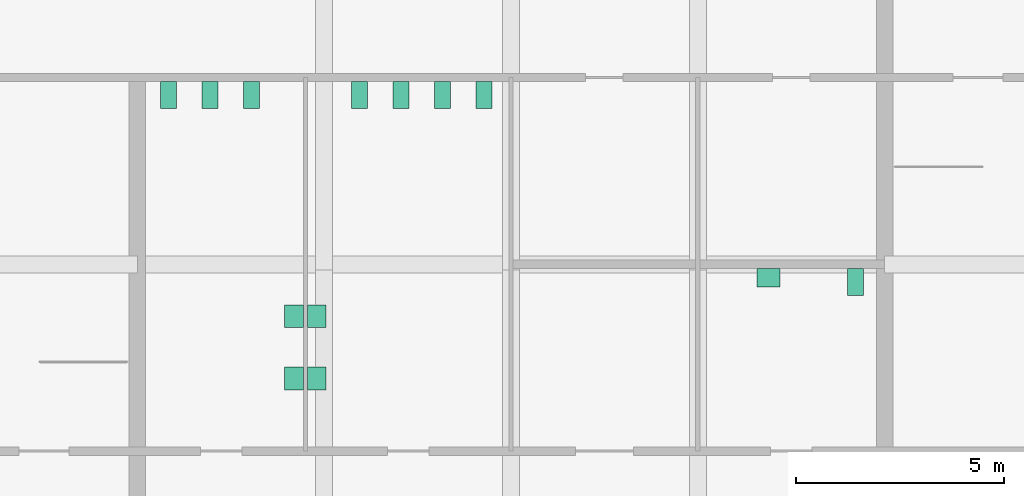
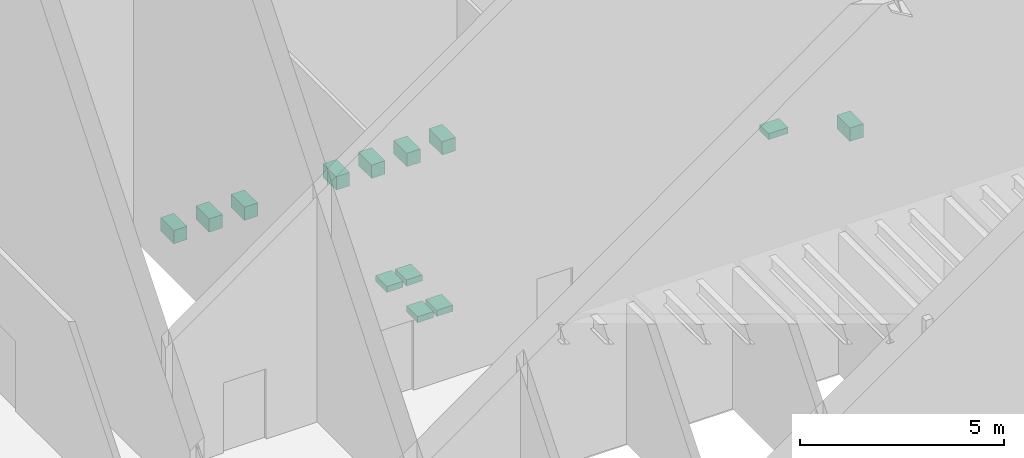
# One storey, part 10 of 10: 13 sanitary terminals.
"""IFC4 building model written with IfcOpenShell, lengths in metres."""

from ifc_helpers import new_model, si_unit, direction, frame, origin, origin_2d, place, context, subcontext, project, spatial, rectangle, extrude, material, type_object, element, save


model = new_model("IFC4")

# Units and contexts
model_context = context("Model", 3, precision=1e-05, world=origin(), true_north=direction((0.0, 1.0)))
body_context = subcontext(model_context, "Body", "Model", "MODEL_VIEW")
ifc_project = project(units=[si_unit("LENGTHUNIT", "METRE"), si_unit("AREAUNIT", "SQUARE_METRE"), si_unit("VOLUMEUNIT", "CUBIC_METRE"), si_unit("PLANEANGLEUNIT", "RADIAN"), si_unit("MASSUNIT", "GRAM", prefix="KILO")], contexts=[model_context])

# Site, building, storey
site_placement = place(None, origin())
site = spatial("IfcSite", under=ifc_project, at=site_placement, CompositionType="ELEMENT")
building_placement = place(site_placement, origin())
building = spatial("IfcBuilding", under=site, at=building_placement, Name="Corais Broadcast Tower", CompositionType="ELEMENT")
storey_placement = place(building_placement, frame((0.0, 0.0, 320.10009765625)))
storey = spatial("IfcBuildingStorey", under=building, at=storey_placement, Name="L75", CompositionType="ELEMENT", Elevation=320.10009765625)

# Sanitary terminals
ifc_material_1 = material(Name="Vitreous china", Category="ceramic")
sanitary_terminal_type_1 = type_object("IfcSanitaryTerminalType", Name="WC pan 380x650", PredefinedType="TOILETPAN", material=ifc_material_1)
for number, where, z_axis, x_axis, name in (
    (1, (18.75, 31.074951171875, 0.0), (0.0, 0.0, 1.0), (1.0, 0.0, 0.0), "SW1 WC pan, male toilets L75"),
    (2, (19.75, 31.074951171875, 0.0), (0.0, 0.0, 1.0), (1.0, 0.0, 0.0), "SW1 WC pan, male toilets L75"),
    (3, (20.75, 31.074951171875, 0.0), (0.0, 0.0, 1.0), (1.0, 0.0, 0.0), "SW1 WC pan, male toilets L75"),
    (4, (23.35009765625, 31.074951171875, 0.0), (0.0, 0.0, 1.0), (1.0, 0.0, 0.0), "SW1 WC pan, female toilets L75"),
    (5, (24.35009765625, 31.074951171875, 0.0), (0.0, 0.0, 1.0), (1.0, 0.0, 0.0), "SW1 WC pan, female toilets L75"),
    (6, (25.35009765625, 31.074951171875, 0.0), (0.0, 0.0, 1.0), (1.0, 0.0, 0.0), "SW1 WC pan, female toilets L75"),
    (7, (26.35009765625, 31.074951171875, 0.0), (0.0, 0.0, 1.0), (1.0, 0.0, 0.0), "SW1 WC pan, female toilets L75"),
    (8, (35.300048828125, 26.574951171875, 0.0), (0.0, 0.0, 1.0), (1.0, 0.0, 0.0), "SW1 WC pan, accessible WC L75"),
):
    element("IfcSanitaryTerminal", number, at=place(storey_placement, frame(where, z_axis=z_axis, x_axis=x_axis)), inside=storey, type_object=sanitary_terminal_type_1, Name=name, PredefinedType="TOILETPAN", context=body_context, shape_type="SweptSolid", body=[
        extrude(rectangle(XDim=0.3798828125, YDim=0.64990234375, at=origin_2d()), origin(), (0.0, 0.0, 1.0), 0.39990234375),
    ])
ifc_material_2 = material(Name="Vitreous china", Category="ceramic")
sanitary_terminal_type_2 = type_object("IfcSanitaryTerminalType", Name="Wash basin 550x450", PredefinedType="WASHHANDBASIN", material=ifc_material_2)
for number, where, z_axis, x_axis, name in (
    (9, (21.77490234375, 24.25, 0.69970703125), (0.0, 0.0, 1.0), (1.0, 0.0, 0.0), "WB1 wash basin, male toilets L75"),
    (10, (21.77490234375, 25.75, 0.69970703125), (0.0, 0.0, 1.0), (1.0, 0.0, 0.0), "WB1 wash basin, male toilets L75"),
    (11, (22.324951171875, 24.25, 0.69970703125), (0.0, 0.0, 1.0), (1.0, 0.0, 0.0), "WB1 wash basin, female toilets L75"),
    (12, (22.324951171875, 25.75, 0.69970703125), (0.0, 0.0, 1.0), (1.0, 0.0, 0.0), "WB1 wash basin, female toilets L75"),
):
    element("IfcSanitaryTerminal", number, at=place(storey_placement, frame(where, z_axis=z_axis, x_axis=x_axis)), inside=storey, type_object=sanitary_terminal_type_2, Name=name, PredefinedType="WASHHANDBASIN", context=body_context, shape_type="SweptSolid", body=[
        extrude(rectangle(XDim=0.449951171875, YDim=0.550048828125, at=origin_2d()), origin(), (0.0, 0.0, 1.0), 0.179931640625),
    ])
sanitary_terminal_placement = place(storey_placement, frame((33.199951171875, 26.675048828125, 0.69970703125), z_axis=(0.0, 0.0, 1.0), x_axis=(1.0, 0.0, 0.0)))
element("IfcSanitaryTerminal", 13, at=sanitary_terminal_placement, inside=storey, type_object=sanitary_terminal_type_2, Name="WB1 wash basin, accessible WC L75", PredefinedType="WASHHANDBASIN", context=body_context, shape_type="SweptSolid", body=[
    extrude(rectangle(XDim=0.550048828125, YDim=0.449951171875, at=origin_2d()), origin(), (0.0, 0.0, 1.0), 0.179931640625),
])

save(model, "model.ifc")
